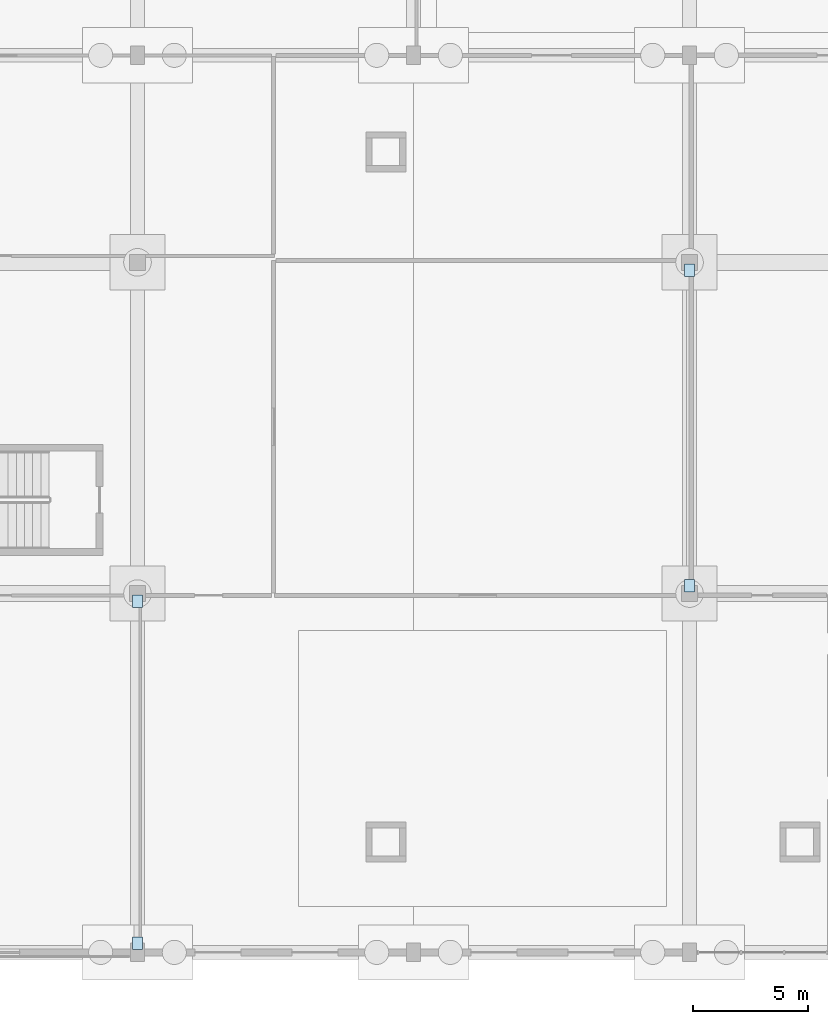
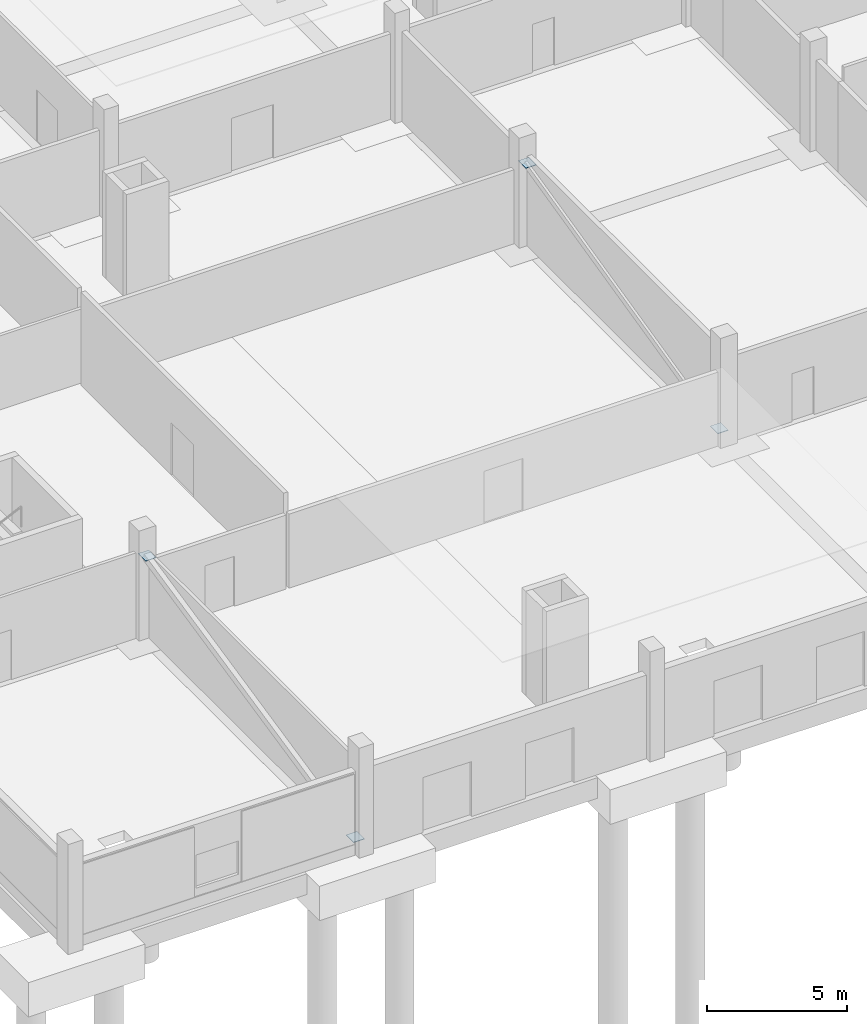
# One storey, part 52 of 82: 4 plates.
"""IFC4 building model written with IfcOpenShell, lengths in metres."""

from ifc_helpers import new_model, si_unit, direction, frame, origin, origin_2d, place, context, subcontext, project, spatial, rectangle, extrude, material, layer, layer_set, type_object, element, save


model = new_model("IFC4")

# Units and contexts
model_context = context("Model", 3, precision=1e-05, world=origin(), true_north=direction((0.0, 1.0)))
body_context = subcontext(model_context, "Body", "Model", "MODEL_VIEW")
ifc_project = project(units=[si_unit("LENGTHUNIT", "METRE"), si_unit("AREAUNIT", "SQUARE_METRE"), si_unit("VOLUMEUNIT", "CUBIC_METRE"), si_unit("PLANEANGLEUNIT", "RADIAN"), si_unit("MASSUNIT", "GRAM", prefix="KILO")], contexts=[model_context])

# Site, building, storey
site_placement = place(None, origin())
site = spatial("IfcSite", under=ifc_project, at=site_placement, CompositionType="ELEMENT")
building_placement = place(site_placement, origin())
building = spatial("IfcBuilding", under=site, at=building_placement, Name="Kelmvaro Bay Concert Hall", CompositionType="ELEMENT")
storey_placement = place(building_placement, origin())
storey = spatial("IfcBuildingStorey", under=building, at=storey_placement, Name="L00", CompositionType="ELEMENT", Elevation=0.0)

# Plates
ifc_material = material(Name="Steel ASTM A572 Grade 50", Category="steel")
ifc_layer = layer(ifc_material, 0.02392578125)
ifc_layer_set = layer_set([ifc_layer], Name="Steel ASTM A572 Grade 50")
plate_type = type_object("IfcPlateType", Name="Lateral Brace Node Gusset Plate 540x440x24", PredefinedType="SHEET", material=ifc_layer_set)
for number, where, z_axis, x_axis, name in (
    (1, (12.0, 0.389404296875, 0.335693359375), (0.0, 0.0, 1.0), (0.0, 1.0, 0.0), "L00 Lateral Diagonal Brace V3-W End Cap Plate 1 (ND-04)"),
    (2, (12.0, 15.2607421875, 3.59033203125), (0.0, 0.0, 1.0), (0.0, 1.0, 0.0), "L00 Lateral Diagonal Brace V3-W End Cap Plate 2 (ND-04)"),
    (3, (36.0, 15.939208984375, 0.33544921875), (0.0, 0.0, 1.0), (0.0, 1.0, 0.0), "L00 Lateral Diagonal Brace V3-E End Cap Plate 1 (ND-04)"),
    (4, (36.0, 29.66064453125, 3.590576171875), (0.0, 0.0, 1.0), (0.0, 1.0, 0.0), "L00 Lateral Diagonal Brace V3-E End Cap Plate 2 (ND-04)"),
):
    element("IfcPlate", number, at=place(storey_placement, frame(where, z_axis=z_axis, x_axis=x_axis)), inside=storey, type_object=plate_type, Name=name, PredefinedType="SHEET", context=body_context, shape_type="SweptSolid", body=[
        extrude(rectangle(XDim=0.5400390625, YDim=0.43994140625, at=origin_2d()), origin(), (0.0, 0.0, 1.0), 0.02392578125),
    ])

save(model, "model.ifc")
